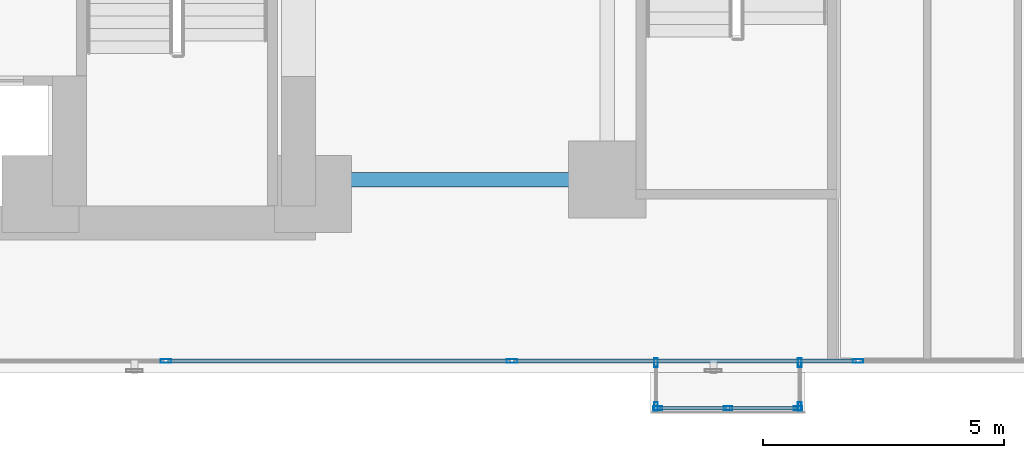
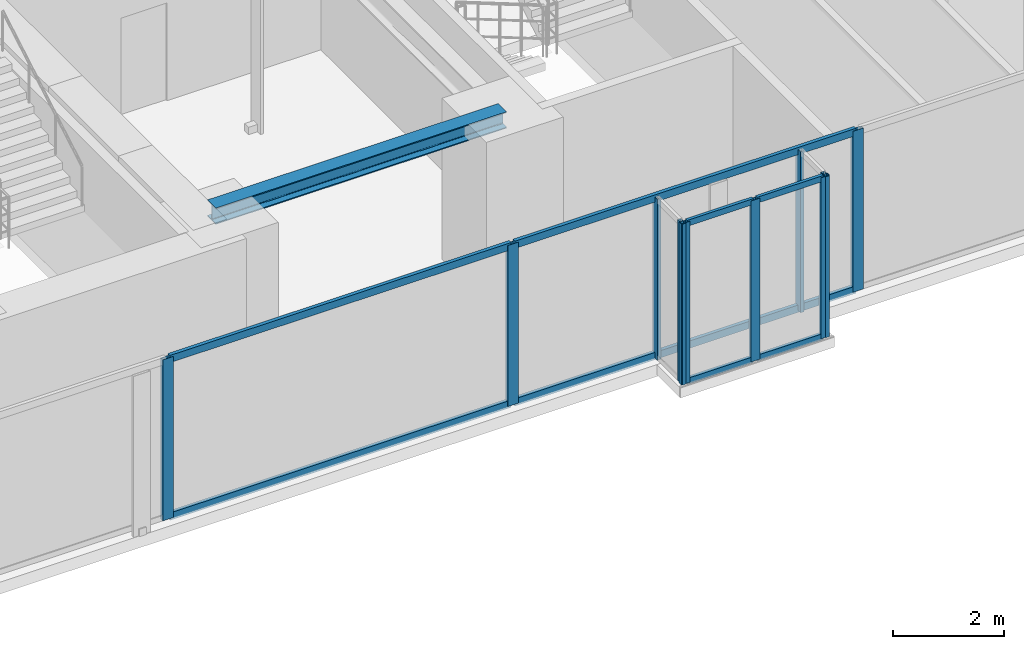
# One storey, part 4 of 27: 18 members, 1 beam, 4 elements without a shape of their own.
"""IFC4 building model written with IfcOpenShell, lengths in metres."""

from ifc_helpers import new_model, si_unit, direction, frame, origin, origin_with_axes, origin_2d, place, context, subcontext, project, spatial, hollow_rectangle, i_section, extrude, source, transform, mapped, material, layer, layer_set, material_profile, profile_set, type_object, element, aggregate, save


model = new_model("IFC4")

# Units and contexts
model_context = context("Model", 3, precision=1e-05, world=origin(), true_north=direction((0.0, 1.0)))
body_context = subcontext(model_context, "Body", "Model", "MODEL_VIEW")
ifc_project = project(units=[si_unit("LENGTHUNIT", "METRE"), si_unit("AREAUNIT", "SQUARE_METRE"), si_unit("VOLUMEUNIT", "CUBIC_METRE"), si_unit("PLANEANGLEUNIT", "RADIAN"), si_unit("MASSUNIT", "GRAM", prefix="KILO")], contexts=[model_context])

# Site, building, storey
site_placement = place(None, origin())
site = spatial("IfcSite", under=ifc_project, at=site_placement, CompositionType="ELEMENT")
building_placement = place(site_placement, origin())
building = spatial("IfcBuilding", under=site, at=building_placement, Name="Kolvaren Waterfront Exchange", CompositionType="ELEMENT")
storey_placement = place(building_placement, frame((0.0, 0.0, 33.39990234375)))
storey = spatial("IfcBuildingStorey", under=building, at=storey_placement, Name="L08", CompositionType="ELEMENT", Elevation=33.39990234375)

# Beam
ifc_material_1 = material(Name="Steel S355", Category="steel")
ifc_material_profile_1 = material_profile(ifc_material_1, i_section(OverallWidth=0.300048828125, OverallDepth=0.360107421875, WebThickness=0.012451171875, FlangeThickness=0.0224609375, FilletRadius=0.027099609375, at=origin_2d()), Name="HEB360")
ifc_profile_set_1 = profile_set([ifc_material_profile_1], Name="Steel S355")
beam_type = type_object("IfcBeamType", Name="STR-BM-HEB360", PredefinedType="SPANDREL", material=ifc_profile_set_1)
beam_placement = place(storey_placement, frame((21.14990234375, 5.199951171875, 3.360107421875), z_axis=(1.0, 0.0, 0.0), x_axis=(0.0, 1.0, 0.0)))
element("IfcBeam", 1, at=beam_placement, inside=storey, type_object=beam_type, Name="L08 east-arm spandrel S1", PredefinedType="SPANDREL", context=body_context, shape_type="SweptSolid", body=[
    extrude(i_section(OverallWidth=0.300048828125, OverallDepth=0.360107421875, WebThickness=0.012451171875, FlangeThickness=0.0224609375, FilletRadius=0.027099609375, at=origin_2d()), origin(), (0.0, 0.0, 1.0), 6.050048828125),
])

# Curtain wall, members
ifc_material_2 = material(Name="Anodised bronze aluminium 6063-T6", Category="aluminium")
ifc_layer_1 = layer(ifc_material_2, 0.219970703125, Name="Anodised bronze aluminium 6063-T6")
ifc_layer_set_1 = layer_set([ifc_layer_1], Name="Anodised bronze aluminium 6063-T6")
curtain_wall_type_1 = type_object("IfcCurtainWallType", Name="ARC-CW-SYS1", PredefinedType="USERDEFINED", material=ifc_layer_set_1)
curtain_wall_1_placement = place(storey_placement, origin())
curtain_wall_1 = element("IfcCurtainWall", 2, at=curtain_wall_1_placement, inside=storey, type_object=curtain_wall_type_1, Name="L08 stick curtain wall CW1 (CW-L08-S)", ObjectType="STICK CURTAIN WALL", PredefinedType="USERDEFINED")
ifc_material_3 = material(Name="Anodised aluminium 6063-T6", Category="aluminium")
ifc_material_profile_2 = material_profile(ifc_material_3, hollow_rectangle(XDim=0.074951171875, YDim=0.159912109375, WallThickness=0.00439453125, at=origin_2d()), Name="ALU-TRN-160x75x4.5")
ifc_profile_set_2 = profile_set([ifc_material_profile_2], Name="Anodised aluminium 6063-T6")
member_type_1 = type_object("IfcMemberType", Name="ARC-CWT-160", PredefinedType="USERDEFINED", material=ifc_profile_set_2)
shared_shape_1 = source(origin_with_axes(), body_context, "Body", "SweptSolid", [
    extrude(hollow_rectangle(XDim=0.074951171875, YDim=0.159912109375, WallThickness=0.00439453125, at=origin_2d()), origin(), (0.0, 0.0, 1.0), 7.094970703125),
])
member_1_placement = place(storey_placement, frame((18.090087890625, 1.43994140625, 0.03759765625), z_axis=(1.0, 0.0, 0.0), x_axis=(0.0, 1.0, 0.0)))
member_1 = element("IfcMember", 3, at=member_1_placement, type_object=member_type_1, Name="CW1 transom 3.1", ObjectType="TRANSOM", PredefinedType="USERDEFINED", context=body_context, shape_type="MappedRepresentation", body=[
    mapped(shared_shape_1, transform((0.0, 0.0, 0.0), x_axis=(1.0, 0.0, 0.0), y_axis=(0.0, 1.0, 0.0), z_axis=(0.0, 0.0, 1.0), scale=1.0)),
])
member_2_placement = place(storey_placement, frame((18.090087890625, 1.43994140625, 3.502685546875), z_axis=(1.0, 0.0, 0.0), x_axis=(0.0, 1.0, 0.0)))
member_2 = element("IfcMember", 4, at=member_2_placement, type_object=member_type_1, Name="CW1 transom 3.2", ObjectType="TRANSOM", PredefinedType="USERDEFINED", context=body_context, shape_type="MappedRepresentation", body=[
    mapped(shared_shape_1, transform((0.0, 0.0, 0.0), x_axis=(1.0, 0.0, 0.0), y_axis=(0.0, 1.0, 0.0), z_axis=(0.0, 0.0, 1.0), scale=1.0)),
])
shared_shape_2 = source(origin_with_axes(), body_context, "Body", "SweptSolid", [
    extrude(hollow_rectangle(XDim=0.074951171875, YDim=0.159912109375, WallThickness=0.00439453125, at=origin_2d()), origin(), (0.0, 0.0, 1.0), 7.09521484375),
])
member_3_placement = place(storey_placement, frame((25.264892578125, 1.43994140625, 0.03759765625), z_axis=(1.0, 0.0, 0.0), x_axis=(0.0, 1.0, 0.0)))
member_3 = element("IfcMember", 5, at=member_3_placement, type_object=member_type_1, Name="CW1 transom 4.1", ObjectType="TRANSOM", PredefinedType="USERDEFINED", context=body_context, shape_type="MappedRepresentation", body=[
    mapped(shared_shape_2, transform((0.0, 0.0, 0.0), x_axis=(1.0, 0.0, 0.0), y_axis=(0.0, 1.0, 0.0), z_axis=(0.0, 0.0, 1.0), scale=1.0)),
])
member_4_placement = place(storey_placement, frame((25.264892578125, 1.43994140625, 3.502685546875), z_axis=(1.0, 0.0, 0.0), x_axis=(0.0, 1.0, 0.0)))
member_4 = element("IfcMember", 6, at=member_4_placement, type_object=member_type_1, Name="CW1 transom 4.2", ObjectType="TRANSOM", PredefinedType="USERDEFINED", context=body_context, shape_type="MappedRepresentation", body=[
    mapped(shared_shape_2, transform((0.0, 0.0, 0.0), x_axis=(1.0, 0.0, 0.0), y_axis=(0.0, 1.0, 0.0), z_axis=(0.0, 0.0, 1.0), scale=1.0)),
])

ifc_layer_2 = layer(ifc_material_2, 0.219970703125, Name="Anodised bronze aluminium 6063-T6")
ifc_layer_set_2 = layer_set([ifc_layer_2], Name="Anodised bronze aluminium 6063-T6")
curtain_wall_type_2 = type_object("IfcCurtainWallType", Name="ARC-CW-SYS3", PredefinedType="USERDEFINED", material=ifc_layer_set_2)
curtain_wall_2_placement = place(storey_placement, origin())
curtain_wall_2 = element("IfcCurtainWall", 7, at=curtain_wall_2_placement, inside=storey, type_object=curtain_wall_type_2, Name="L08 stick curtain wall CW3 (CW-L08-BOX-W)", ObjectType="STICK CURTAIN WALL", PredefinedType="USERDEFINED")
ifc_material_profile_3 = material_profile(ifc_material_2, hollow_rectangle(XDim=0.074951171875, YDim=0.179931640625, WallThickness=0.00439453125, at=origin_2d()), Name="ALU-MUL-180x75x4.5")
ifc_profile_set_3 = profile_set([ifc_material_profile_3], Name="Anodised bronze aluminium 6063-T6")
member_type_2 = type_object("IfcMemberType", Name="ARC-CWM-180", PredefinedType="MULLION", material=ifc_profile_set_3)
shared_shape_3 = source(origin_with_axes(), body_context, "Body", "SweptSolid", [
    extrude(hollow_rectangle(XDim=0.074951171875, YDim=0.179931640625, WallThickness=0.00439453125, at=origin_2d()), origin(), (0.0, 0.0, 1.0), 3.5400390625),
])
member_5_placement = place(storey_placement, frame((28.2099609375, 1.402587890625, 0.0), z_axis=(0.0, 0.0, 1.0), x_axis=(1.0, 0.0, 0.0)))
member_5 = element("IfcMember", 8, at=member_5_placement, type_object=member_type_2, Name="CW3 mullion 1", PredefinedType="MULLION", context=body_context, shape_type="MappedRepresentation", body=[
    mapped(shared_shape_3, transform((0.0, 0.0, 0.0), x_axis=(1.0, 0.0, 0.0), y_axis=(0.0, 1.0, 0.0), z_axis=(0.0, 0.0, 1.0), scale=1.0)),
])
member_6_placement = place(storey_placement, frame((28.2099609375, 0.49755859375, 0.0), z_axis=(0.0, 0.0, 1.0), x_axis=(1.0, 0.0, 0.0)))
member_6 = element("IfcMember", 9, at=member_6_placement, type_object=member_type_2, Name="CW3 mullion 2", PredefinedType="MULLION", context=body_context, shape_type="MappedRepresentation", body=[
    mapped(shared_shape_3, transform((0.0, 0.0, 0.0), x_axis=(1.0, 0.0, 0.0), y_axis=(0.0, 1.0, 0.0), z_axis=(0.0, 0.0, 1.0), scale=1.0)),
])
aggregate(curtain_wall_2, [member_5, member_6])

curtain_wall_3_placement = place(storey_placement, origin())
curtain_wall_3 = element("IfcCurtainWall", 10, at=curtain_wall_3_placement, inside=storey, type_object=curtain_wall_type_2, Name="L08 stick curtain wall CW3 (CW-L08-BOX)", ObjectType="STICK CURTAIN WALL", PredefinedType="USERDEFINED")
member_7_placement = place(storey_placement, frame((28.24755859375, 0.4599609375, 0.0), z_axis=(0.0, 0.0, 1.0), x_axis=(0.0, 1.0, 0.0)))
member_7 = element("IfcMember", 11, at=member_7_placement, type_object=member_type_2, Name="CW3 mullion 1", PredefinedType="MULLION", context=body_context, shape_type="MappedRepresentation", body=[
    mapped(shared_shape_3, transform((0.0, 0.0, 0.0), x_axis=(1.0, 0.0, 0.0), y_axis=(0.0, 1.0, 0.0), z_axis=(0.0, 0.0, 1.0), scale=1.0)),
])
member_8_placement = place(storey_placement, frame((29.699951171875, 0.4599609375, 0.0), z_axis=(0.0, 0.0, 1.0), x_axis=(0.0, 1.0, 0.0)))
member_8 = element("IfcMember", 12, at=member_8_placement, type_object=member_type_2, Name="CW3 mullion 2", PredefinedType="MULLION", context=body_context, shape_type="MappedRepresentation", body=[
    mapped(shared_shape_3, transform((0.0, 0.0, 0.0), x_axis=(1.0, 0.0, 0.0), y_axis=(0.0, 1.0, 0.0), z_axis=(0.0, 0.0, 1.0), scale=1.0)),
])
member_9_placement = place(storey_placement, frame((31.152587890625, 0.4599609375, 0.0), z_axis=(0.0, 0.0, 1.0), x_axis=(0.0, 1.0, 0.0)))
member_9 = element("IfcMember", 13, at=member_9_placement, type_object=member_type_2, Name="CW3 mullion 3", PredefinedType="MULLION", context=body_context, shape_type="MappedRepresentation", body=[
    mapped(shared_shape_3, transform((0.0, 0.0, 0.0), x_axis=(1.0, 0.0, 0.0), y_axis=(0.0, 1.0, 0.0), z_axis=(0.0, 0.0, 1.0), scale=1.0)),
])

curtain_wall_4_placement = place(storey_placement, origin())
curtain_wall_4 = element("IfcCurtainWall", 14, at=curtain_wall_4_placement, inside=storey, type_object=curtain_wall_type_2, Name="L08 stick curtain wall CW3 (CW-L08-BOX-E)", ObjectType="STICK CURTAIN WALL", PredefinedType="USERDEFINED")
member_10_placement = place(storey_placement, frame((31.18994140625, 0.49755859375, 0.0), z_axis=(0.0, 0.0, 1.0), x_axis=(-1.0, 0.0, 0.0)))
member_10 = element("IfcMember", 15, at=member_10_placement, type_object=member_type_2, Name="CW3 mullion 1", PredefinedType="MULLION", context=body_context, shape_type="MappedRepresentation", body=[
    mapped(shared_shape_3, transform((0.0, 0.0, 0.0), x_axis=(1.0, 0.0, 0.0), y_axis=(0.0, 1.0, 0.0), z_axis=(0.0, 0.0, 1.0), scale=1.0)),
])
member_11_placement = place(storey_placement, frame((31.18994140625, 1.402587890625, 0.0), z_axis=(0.0, 0.0, 1.0), x_axis=(-1.0, 0.0, 0.0)))
member_11 = element("IfcMember", 16, at=member_11_placement, type_object=member_type_2, Name="CW3 mullion 2", PredefinedType="MULLION", context=body_context, shape_type="MappedRepresentation", body=[
    mapped(shared_shape_3, transform((0.0, 0.0, 0.0), x_axis=(1.0, 0.0, 0.0), y_axis=(0.0, 1.0, 0.0), z_axis=(0.0, 0.0, 1.0), scale=1.0)),
])
aggregate(curtain_wall_4, [member_10, member_11])

# Member
ifc_material_profile_4 = material_profile(ifc_material_2, hollow_rectangle(XDim=0.06494140625, YDim=0.1298828125, WallThickness=0.00390625, at=origin_2d()), Name="ALU-TRN-130x65x4")
ifc_profile_set_4 = profile_set([ifc_material_profile_4], Name="Anodised bronze aluminium 6063-T6")
member_type_3 = type_object("IfcMemberType", Name="ARC-CWT-130", PredefinedType="USERDEFINED", material=ifc_profile_set_4)
shared_shape_4 = source(origin_with_axes(), body_context, "Body", "SweptSolid", [
    extrude(hollow_rectangle(XDim=0.06494140625, YDim=0.1298828125, WallThickness=0.00390625, at=origin_2d()), origin(), (0.0, 0.0, 1.0), 1.377685546875),
])
member_12_placement = place(storey_placement, frame((28.284912109375, 0.4599609375, 0.03271484375), z_axis=(1.0, 0.0, 0.0), x_axis=(0.0, 1.0, 0.0)))
member_12 = element("IfcMember", 17, at=member_12_placement, type_object=member_type_3, Name="CW3 transom 1.1", ObjectType="TRANSOM", PredefinedType="USERDEFINED", context=body_context, shape_type="MappedRepresentation", body=[
    mapped(shared_shape_4, transform((0.0, 0.0, 0.0), x_axis=(1.0, 0.0, 0.0), y_axis=(0.0, 1.0, 0.0), z_axis=(0.0, 0.0, 1.0), scale=1.0)),
])

member_13_placement = place(storey_placement, frame((28.284912109375, 0.4599609375, 3.507568359375), z_axis=(1.0, 0.0, 0.0), x_axis=(0.0, 1.0, 0.0)))
member_13 = element("IfcMember", 18, at=member_13_placement, type_object=member_type_3, Name="CW3 transom 1.2", ObjectType="TRANSOM", PredefinedType="USERDEFINED", context=body_context, shape_type="MappedRepresentation", body=[
    mapped(shared_shape_4, transform((0.0, 0.0, 0.0), x_axis=(1.0, 0.0, 0.0), y_axis=(0.0, 1.0, 0.0), z_axis=(0.0, 0.0, 1.0), scale=1.0)),
])

shared_shape_5 = source(origin_with_axes(), body_context, "Body", "SweptSolid", [
    extrude(hollow_rectangle(XDim=0.06494140625, YDim=0.1298828125, WallThickness=0.00390625, at=origin_2d()), origin(), (0.0, 0.0, 1.0), 1.37744140625),
])
member_14_placement = place(storey_placement, frame((29.737548828125, 0.4599609375, 0.03271484375), z_axis=(1.0, 0.0, 0.0), x_axis=(0.0, 1.0, 0.0)))
member_14 = element("IfcMember", 19, at=member_14_placement, type_object=member_type_3, Name="CW3 transom 2.1", ObjectType="TRANSOM", PredefinedType="USERDEFINED", context=body_context, shape_type="MappedRepresentation", body=[
    mapped(shared_shape_5, transform((0.0, 0.0, 0.0), x_axis=(1.0, 0.0, 0.0), y_axis=(0.0, 1.0, 0.0), z_axis=(0.0, 0.0, 1.0), scale=1.0)),
])

member_15_placement = place(storey_placement, frame((29.737548828125, 0.4599609375, 3.507568359375), z_axis=(1.0, 0.0, 0.0), x_axis=(0.0, 1.0, 0.0)))
member_15 = element("IfcMember", 20, at=member_15_placement, type_object=member_type_3, Name="CW3 transom 2.2", ObjectType="TRANSOM", PredefinedType="USERDEFINED", context=body_context, shape_type="MappedRepresentation", body=[
    mapped(shared_shape_5, transform((0.0, 0.0, 0.0), x_axis=(1.0, 0.0, 0.0), y_axis=(0.0, 1.0, 0.0), z_axis=(0.0, 0.0, 1.0), scale=1.0)),
])

aggregate(curtain_wall_3, [member_7, member_8, member_9, member_12, member_13, member_14, member_15])

ifc_material_profile_5 = material_profile(ifc_material_3, hollow_rectangle(XDim=0.080078125, YDim=0.219970703125, WallThickness=0.0048828125, at=origin_2d()), Name="ALU-MUL-220x80x5")
ifc_profile_set_5 = profile_set([ifc_material_profile_5], Name="Anodised aluminium 6063-T6")
member_type_4 = type_object("IfcMemberType", Name="ARC-CWM-220", PredefinedType="MULLION", material=ifc_profile_set_5)
shared_shape_6 = source(origin_with_axes(), body_context, "Body", "SweptSolid", [
    extrude(hollow_rectangle(XDim=0.080078125, YDim=0.219970703125, WallThickness=0.0048828125, at=origin_2d()), origin(), (0.0, 0.0, 1.0), 3.5400390625),
])
member_16_placement = place(storey_placement, frame((18.050048828125, 1.43994140625, 0.0), z_axis=(0.0, 0.0, 1.0), x_axis=(0.0, 1.0, 0.0)))
member_16 = element("IfcMember", 21, at=member_16_placement, type_object=member_type_4, Name="CW1 mullion 3", PredefinedType="MULLION", context=body_context, shape_type="MappedRepresentation", body=[
    mapped(shared_shape_6, transform((0.0, 0.0, 0.0), x_axis=(1.0, 0.0, 0.0), y_axis=(0.0, 1.0, 0.0), z_axis=(0.0, 0.0, 1.0), scale=1.0)),
])

member_17_placement = place(storey_placement, frame((25.22509765625, 1.43994140625, 0.0), z_axis=(0.0, 0.0, 1.0), x_axis=(0.0, 1.0, 0.0)))
member_17 = element("IfcMember", 22, at=member_17_placement, type_object=member_type_4, Name="CW1 mullion 4", PredefinedType="MULLION", context=body_context, shape_type="MappedRepresentation", body=[
    mapped(shared_shape_6, transform((0.0, 0.0, 0.0), x_axis=(1.0, 0.0, 0.0), y_axis=(0.0, 1.0, 0.0), z_axis=(0.0, 0.0, 1.0), scale=1.0)),
])

member_18_placement = place(storey_placement, frame((32.39990234375, 1.43994140625, 0.0), z_axis=(0.0, 0.0, 1.0), x_axis=(0.0, 1.0, 0.0)))
member_18 = element("IfcMember", 23, at=member_18_placement, type_object=member_type_4, Name="CW1 mullion 5", PredefinedType="MULLION", context=body_context, shape_type="MappedRepresentation", body=[
    mapped(shared_shape_6, transform((0.0, 0.0, 0.0), x_axis=(1.0, 0.0, 0.0), y_axis=(0.0, 1.0, 0.0), z_axis=(0.0, 0.0, 1.0), scale=1.0)),
])

aggregate(curtain_wall_1, [member_16, member_17, member_18, member_1, member_2, member_3, member_4])

save(model, "model.ifc")
